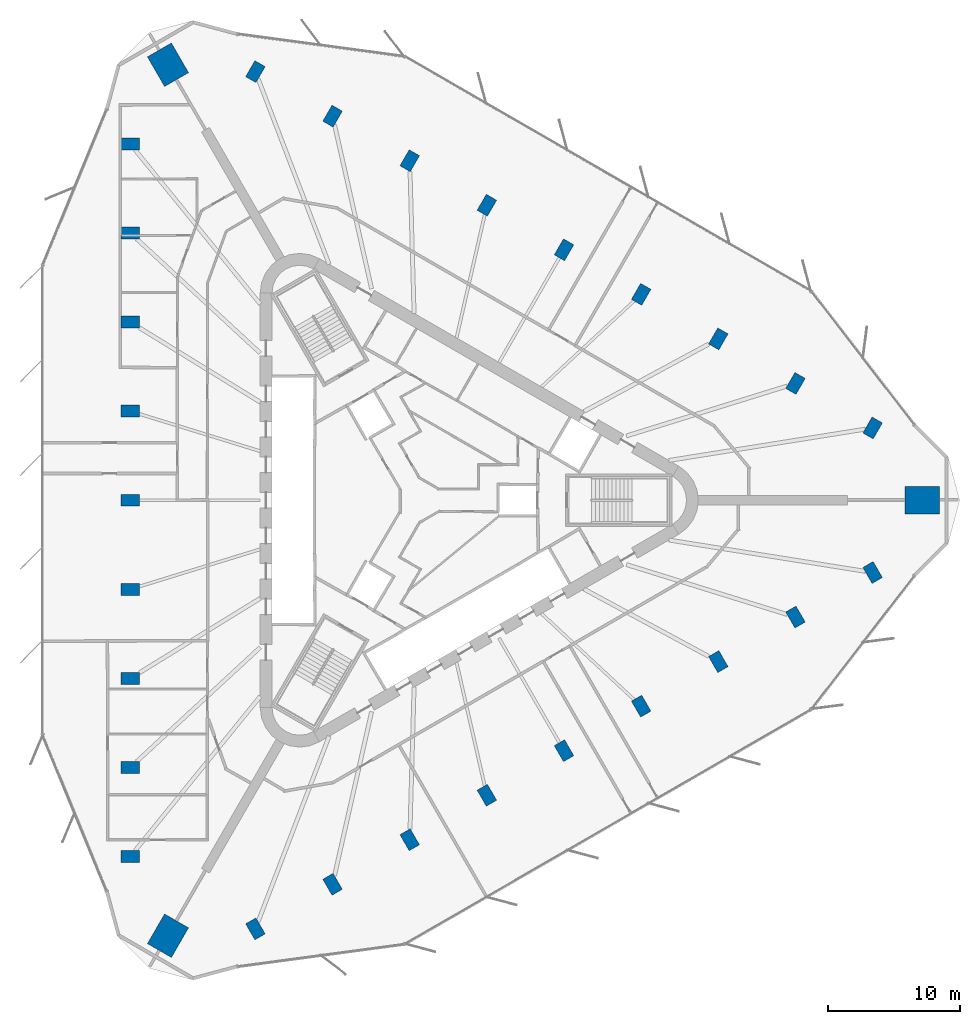
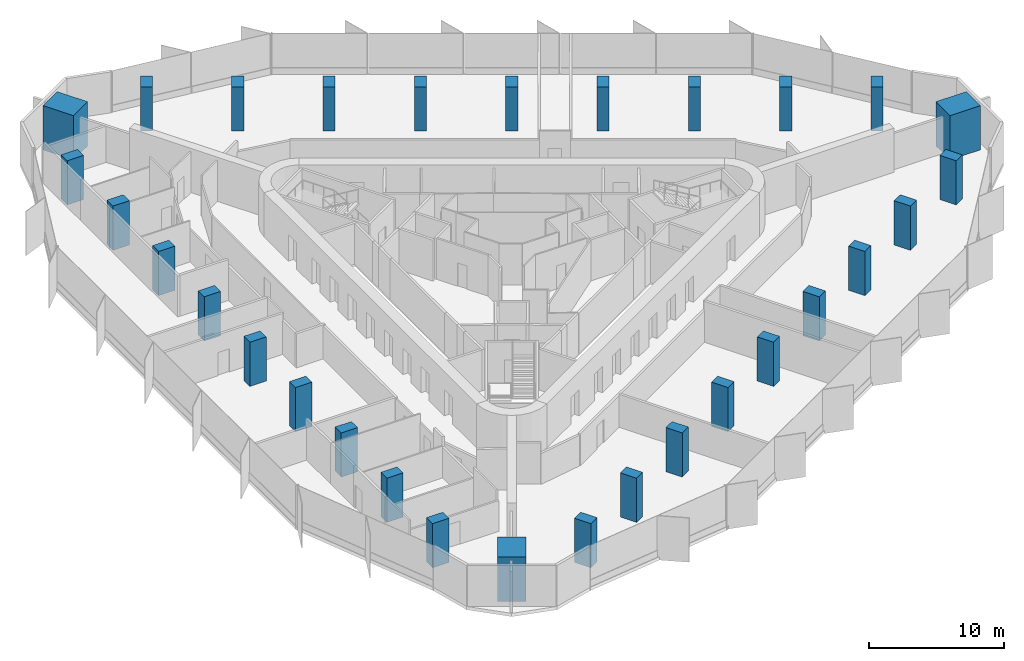
# One storey, part 1 of 14: 30 columns.
"""IFC4 building model written with IfcOpenShell, lengths in metres."""

from ifc_helpers import new_model, si_unit, direction, frame, origin, origin_2d, place, context, subcontext, project, spatial, rectangle, extrude, material, material_profile, profile_set, type_object, element, save


model = new_model("IFC4")

# Units and contexts
model_context = context("Model", 3, precision=1e-05, world=origin(), true_north=direction((0.0, 1.0)))
body_context = subcontext(model_context, "Body", "Model", "MODEL_VIEW")
ifc_project = project(units=[si_unit("LENGTHUNIT", "METRE"), si_unit("AREAUNIT", "SQUARE_METRE"), si_unit("VOLUMEUNIT", "CUBIC_METRE"), si_unit("PLANEANGLEUNIT", "RADIAN"), si_unit("MASSUNIT", "GRAM", prefix="KILO")], contexts=[model_context])

# Site, building, storey
site_placement = place(None, origin())
site = spatial("IfcSite", under=ifc_project, at=site_placement, CompositionType="ELEMENT")
building_placement = place(site_placement, origin())
building = spatial("IfcBuilding", under=site, at=building_placement, Name="Tanit Gate Tower", CompositionType="ELEMENT")
storey_placement = place(building_placement, frame((0.0, 0.0, 233.199951171875)))
storey = spatial("IfcBuildingStorey", under=building, at=storey_placement, Name="L52", CompositionType="ELEMENT", Elevation=233.199951171875)

# Columns
ifc_material_1 = material(Name="Concrete C60/75", Category="concrete")
ifc_material_profile_1 = material_profile(ifc_material_1, rectangle(XDim=2.60009765625, YDim=2.10009765625, at=origin_2d()), Name="RC 2600x2100")
ifc_profile_set_1 = profile_set([ifc_material_profile_1], Name="Concrete C60/75")
column_type_1 = type_object("IfcColumnType", Name="MEGA COLUMN 2600x2100 C60/75", PredefinedType="COLUMN", material=ifc_profile_set_1)
for number, where, z_axis, x_axis, name in (
    (1, (38.219482421875, 0.0, 0.0), (0.0, 0.0, 1.0), (1.0, 0.0, 0.0), "MEGA COLUMN"),
    (2, (-19.10986328125, 33.09912109375, 0.0), (0.0, 0.0, 1.0), (-0.5, 0.866025403784, 0.0), "MEGA COLUMN"),
    (3, (-19.10986328125, -33.09912109375, 0.0), (0.0, 0.0, 1.0), (-0.5, -0.866025403784, 0.0), "MEGA COLUMN"),
):
    element("IfcColumn", number, at=place(storey_placement, frame(where, z_axis=z_axis, x_axis=x_axis)), inside=storey, type_object=column_type_1, Name=name, PredefinedType="COLUMN", context=body_context, shape_type="SweptSolid", body=[
        extrude(rectangle(XDim=2.60009765625, YDim=2.10009765625, at=origin_2d()), origin(), (0.0, 0.0, 1.0), 4.0),
    ])
ifc_material_2 = material(Name="Concrete C50/60", Category="concrete")
ifc_material_profile_2 = material_profile(ifc_material_2, rectangle(XDim=1.39990234375, YDim=0.89990234375, at=origin_2d()), Name="RC 1400x900")
ifc_profile_set_2 = profile_set([ifc_material_profile_2], Name="Concrete C50/60")
column_type_2 = type_object("IfcColumnType", Name="PERIMETER COLUMN 1400x900 C50/60", PredefinedType="COLUMN", material=ifc_profile_set_2)
for number, where, z_axis, x_axis, name in (
    (4, (-21.979248046875, 27.083984375, 0.0), (0.0, 0.0, 1.0), (-1.0, 0.0, 0.0), "PERIMETER COLUMN"),
    (5, (-21.979248046875, 20.31298828125, 0.0), (0.0, 0.0, 1.0), (-1.0, 0.0, 0.0), "PERIMETER COLUMN"),
    (6, (-21.979248046875, 13.5419921875, 0.0), (0.0, 0.0, 1.0), (-1.0, 0.0, 0.0), "PERIMETER COLUMN"),
    (7, (-21.979248046875, 6.77099609375, 0.0), (0.0, 0.0, 1.0), (-1.0, 0.0, 0.0), "PERIMETER COLUMN"),
    (8, (-21.979248046875, 0.0, 0.0), (0.0, 0.0, 1.0), (-1.0, 0.0, 0.0), "PERIMETER COLUMN"),
    (9, (-21.979248046875, -6.77099609375, 0.0), (0.0, 0.0, 1.0), (-1.0, 0.0, 0.0), "PERIMETER COLUMN"),
    (10, (-21.979248046875, -13.5419921875, 0.0), (0.0, 0.0, 1.0), (-1.0, 0.0, 0.0), "PERIMETER COLUMN"),
    (11, (-21.979248046875, -20.31298828125, 0.0), (0.0, 0.0, 1.0), (-1.0, 0.0, 0.0), "PERIMETER COLUMN"),
    (12, (-21.979248046875, -27.083984375, 0.0), (0.0, 0.0, 1.0), (-1.0, 0.0, 0.0), "PERIMETER COLUMN"),
    (13, (34.445068359375, 5.49267578125, 0.0), (0.0, 0.0, 1.0), (0.5, 0.866025403784, 0.0), "PERIMETER COLUMN"),
    (14, (28.5810546875, 8.878173828125, 0.0), (0.0, 0.0, 1.0), (0.5, 0.866025403784, 0.0), "PERIMETER COLUMN"),
    (15, (22.71728515625, 12.263671875, 0.0), (0.0, 0.0, 1.0), (0.5, 0.866025403784, 0.0), "PERIMETER COLUMN"),
    (16, (16.853515625, 15.649169921875, 0.0), (0.0, 0.0, 1.0), (0.5, 0.866025403784, 0.0), "PERIMETER COLUMN"),
    (17, (10.989501953125, 19.03466796875, 0.0), (0.0, 0.0, 1.0), (0.5, 0.866025403784, 0.0), "PERIMETER COLUMN"),
    (18, (5.125732421875, 22.419921875, 0.0), (0.0, 0.0, 1.0), (0.5, 0.866025403784, 0.0), "PERIMETER COLUMN"),
    (19, (-0.738037109375, 25.805419921875, 0.0), (0.0, 0.0, 1.0), (0.5, 0.866025403784, 0.0), "PERIMETER COLUMN"),
    (20, (-6.601806640625, 29.19091796875, 0.0), (0.0, 0.0, 1.0), (0.5, 0.866025403784, 0.0), "PERIMETER COLUMN"),
    (21, (-12.4658203125, 32.576416015625, 0.0), (0.0, 0.0, 1.0), (0.5, 0.866025403784, 0.0), "PERIMETER COLUMN"),
    (22, (-12.4658203125, -32.576416015625, 0.0), (0.0, 0.0, 1.0), (0.5, -0.866025403784, 0.0), "PERIMETER COLUMN"),
    (23, (-6.601806640625, -29.19091796875, 0.0), (0.0, 0.0, 1.0), (0.5, -0.866025403784, 0.0), "PERIMETER COLUMN"),
    (24, (-0.738037109375, -25.805419921875, 0.0), (0.0, 0.0, 1.0), (0.5, -0.866025403784, 0.0), "PERIMETER COLUMN"),
    (25, (5.125732421875, -22.419921875, 0.0), (0.0, 0.0, 1.0), (0.5, -0.866025403784, 0.0), "PERIMETER COLUMN"),
    (26, (10.989501953125, -19.03466796875, 0.0), (0.0, 0.0, 1.0), (0.5, -0.866025403784, 0.0), "PERIMETER COLUMN"),
    (27, (16.853515625, -15.649169921875, 0.0), (0.0, 0.0, 1.0), (0.5, -0.866025403784, 0.0), "PERIMETER COLUMN"),
    (28, (22.71728515625, -12.263671875, 0.0), (0.0, 0.0, 1.0), (0.5, -0.866025403784, 0.0), "PERIMETER COLUMN"),
    (29, (28.5810546875, -8.878173828125, 0.0), (0.0, 0.0, 1.0), (0.5, -0.866025403784, 0.0), "PERIMETER COLUMN"),
    (30, (34.445068359375, -5.49267578125, 0.0), (0.0, 0.0, 1.0), (0.5, -0.866025403784, 0.0), "PERIMETER COLUMN"),
):
    element("IfcColumn", number, at=place(storey_placement, frame(where, z_axis=z_axis, x_axis=x_axis)), inside=storey, type_object=column_type_2, Name=name, PredefinedType="COLUMN", context=body_context, shape_type="SweptSolid", body=[
        extrude(rectangle(XDim=1.39990234375, YDim=0.89990234375, at=origin_2d()), origin(), (0.0, 0.0, 1.0), 4.0),
    ])

save(model, "model.ifc")
